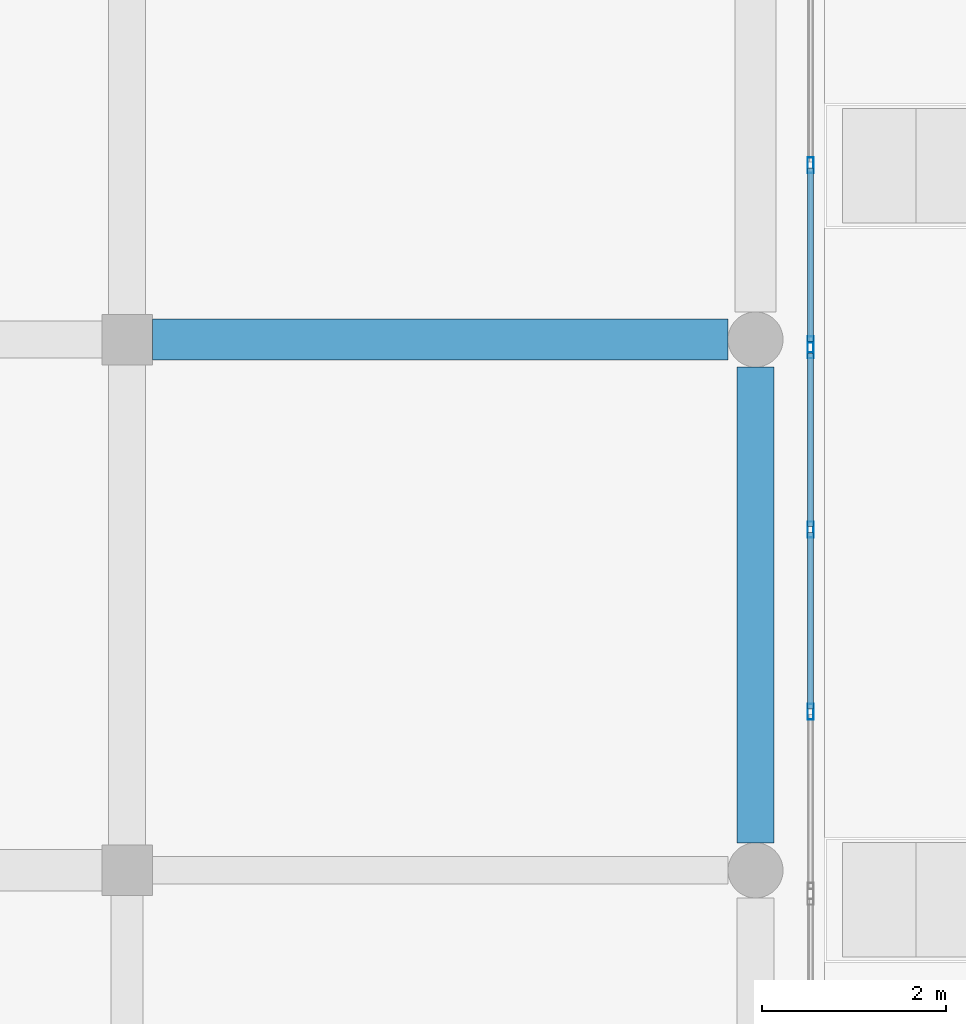
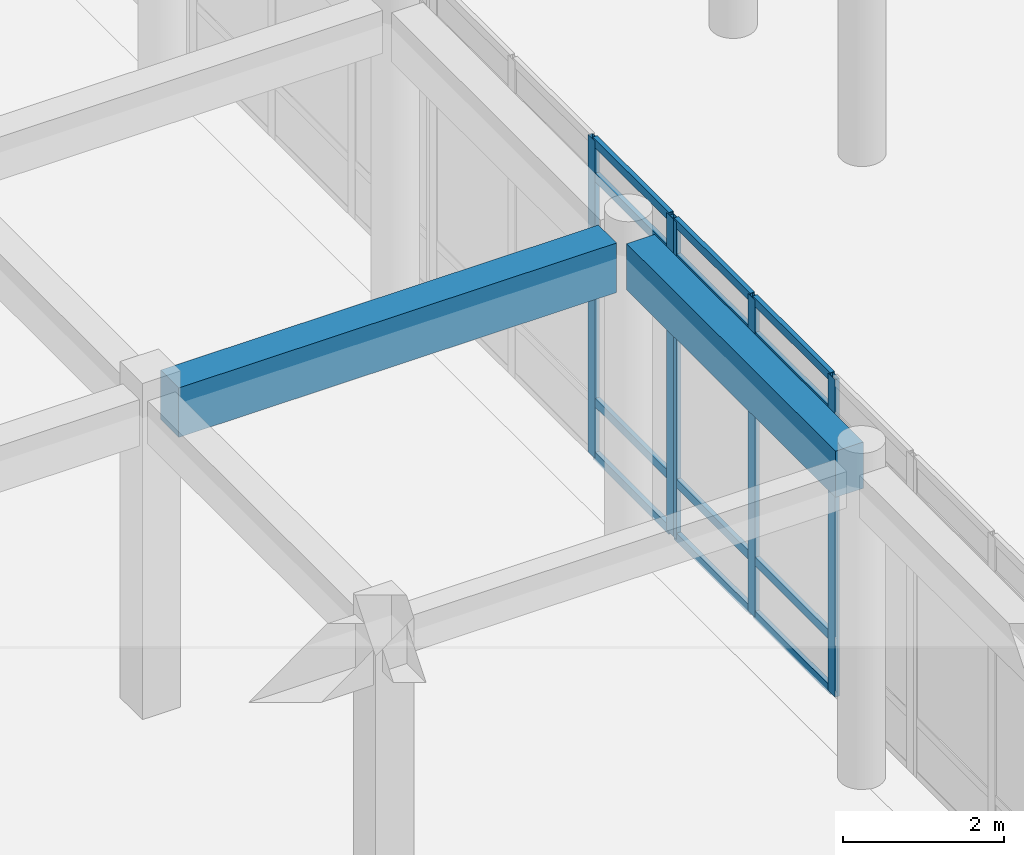
# One storey, part 25 of 121: 17 members, 2 beams, 2 elements without a shape of their own.
"""IFC4 building model written with IfcOpenShell, lengths in metres."""

from ifc_helpers import new_model, si_unit, direction, frame, origin, origin_2d, place, context, subcontext, project, spatial, rectangle, hollow_rectangle, extrude, material, layer, layer_set, material_profile, profile_set, type_object, element, aggregate, save


model = new_model("IFC4")

# Units and contexts
model_context = context("Model", 3, precision=1e-05, world=origin(), true_north=direction((0.0, 1.0)))
body_context = subcontext(model_context, "Body", "Model", "MODEL_VIEW")
ifc_project = project(units=[si_unit("LENGTHUNIT", "METRE"), si_unit("AREAUNIT", "SQUARE_METRE"), si_unit("VOLUMEUNIT", "CUBIC_METRE"), si_unit("PLANEANGLEUNIT", "RADIAN"), si_unit("MASSUNIT", "GRAM", prefix="KILO")], contexts=[model_context])

# Site, building, storey
site_placement = place(None, origin())
site = spatial("IfcSite", under=ifc_project, at=site_placement, CompositionType="ELEMENT")
building_placement = place(site_placement, origin())
building = spatial("IfcBuilding", under=site, at=building_placement, Name="Valcora Specialist Clinic", CompositionType="ELEMENT")
storey_placement = place(building_placement, origin())
storey = spatial("IfcBuildingStorey", under=building, at=storey_placement, Name="L00", CompositionType="ELEMENT", Elevation=0.0)

# Beams
ifc_material_1 = material(Name="Concrete C40/50", Category="concrete")
ifc_material_profile_1 = material_profile(ifc_material_1, rectangle(XDim=0.39990234375, YDim=0.699951171875, at=origin_2d()), Name="RC-BM-400X700")
ifc_profile_set_1 = profile_set([ifc_material_profile_1], Name="Concrete C40/50")
beam_type_1 = type_object("IfcBeamType", Name="TY-BM-RC400X700", PredefinedType="BEAM", material=ifc_profile_set_1)
beam_1_placement = place(storey_placement, frame((29.25, 50.62109375, 4.4599609375), z_axis=(0.0, 1.0, 0.0), x_axis=(-1.0, 0.0, 0.0)))
element("IfcBeam", 1, at=beam_1_placement, inside=storey, type_object=beam_type_1, Name="Beam BM-L00-0128", PredefinedType="BEAM", context=body_context, shape_type="SweptSolid", body=[
    extrude(rectangle(XDim=0.39990234375, YDim=0.699951171875, at=origin_2d()), origin(), (0.0, 0.0, 1.0), 5.185791015625),
])
ifc_material_profile_2 = material_profile(ifc_material_1, rectangle(XDim=0.449951171875, YDim=0.75, at=origin_2d()), Name="RC-BM-450X750")
ifc_profile_set_2 = profile_set([ifc_material_profile_2], Name="Concrete C40/50")
beam_type_2 = type_object("IfcBeamType", Name="TY-BM-RC450X750", PredefinedType="BEAM", material=ifc_profile_set_2)
beam_2_placement = place(storey_placement, frame((22.675048828125, 56.10693359375, 4.43505859375), z_axis=(1.0, 0.0, 0.0), x_axis=(0.0, 1.0, 0.0)))
element("IfcBeam", 2, at=beam_2_placement, inside=storey, type_object=beam_type_2, Name="Beam BM-L00-0083", PredefinedType="BEAM", context=body_context, shape_type="SweptSolid", body=[
    extrude(rectangle(XDim=0.449951171875, YDim=0.75, at=origin_2d()), origin(), (0.0, 0.0, 1.0), 6.27490234375),
])

# Curtain wall, members
ifc_material_2 = material(Name="Anodized Bronze Aluminium 6063-T6", Category="aluminium")
ifc_layer = layer(ifc_material_2, 0.175048828125)
ifc_layer_set = layer_set([ifc_layer], Name="Anodized Bronze Aluminium 6063-T6")
curtain_wall_type = type_object("IfcCurtainWallType", Name="TY-CW-HAL18", PredefinedType="NOTDEFINED", material=ifc_layer_set)
curtain_wall_1_placement = place(storey_placement, origin())
curtain_wall_1 = element("IfcCurtainWall", 3, at=curtain_wall_1_placement, inside=storey, type_object=curtain_wall_type, Name="Curtain wall CW-L00-004", PredefinedType="NOTDEFINED")
ifc_material_profile_3 = material_profile(ifc_material_2, hollow_rectangle(XDim=0.06494140625, YDim=0.175048828125, WallThickness=0.00390625, at=origin_2d()), Name="AL-MUL-65X175")
ifc_profile_set_3 = profile_set([ifc_material_profile_3], Name="Anodized Bronze Aluminium 6063-T6")
member_type_1 = type_object("IfcMemberType", Name="TY-CWM-65X175", PredefinedType="MULLION", material=ifc_profile_set_3)
member_1_placement = place(storey_placement, frame((29.85009765625, 58.007080078125, 0.0), z_axis=(0.0, 0.0, 1.0), x_axis=(1.0, 0.0, 0.0)))
member_1 = element("IfcMember", 4, at=member_1_placement, type_object=member_type_1, Name="CW-HAL-18 mullion 3", PredefinedType="MULLION", context=body_context, shape_type="SweptSolid", body=[
    extrude(hollow_rectangle(XDim=0.06494140625, YDim=0.175048828125, WallThickness=0.00390625, at=origin_2d()), origin(), (0.0, 0.0, 1.0), 4.81005859375),
])
member_2_placement = place(storey_placement, frame((29.85009765625, 56.053955078125, 0.0), z_axis=(0.0, 0.0, 1.0), x_axis=(1.0, 0.0, 0.0)))
member_2 = element("IfcMember", 5, at=member_2_placement, type_object=member_type_1, Name="CW-HAL-18 mullion 4", PredefinedType="MULLION", context=body_context, shape_type="SweptSolid", body=[
    extrude(hollow_rectangle(XDim=0.06494140625, YDim=0.175048828125, WallThickness=0.00390625, at=origin_2d()), origin(), (0.0, 0.0, 1.0), 4.81005859375),
])

curtain_wall_2_placement = place(storey_placement, origin())
curtain_wall_2 = element("IfcCurtainWall", 6, at=curtain_wall_2_placement, inside=storey, type_object=curtain_wall_type, Name="Curtain wall CW-L00-005", PredefinedType="NOTDEFINED")
member_3_placement = place(storey_placement, frame((29.85009765625, 55.989013671875, 0.0), z_axis=(0.0, 0.0, 1.0), x_axis=(1.0, 0.0, 0.0)))
member_3 = element("IfcMember", 7, at=member_3_placement, type_object=member_type_1, Name="CW-HAL-18 mullion 1", PredefinedType="MULLION", context=body_context, shape_type="SweptSolid", body=[
    extrude(hollow_rectangle(XDim=0.06494140625, YDim=0.175048828125, WallThickness=0.00390625, at=origin_2d()), origin(), (0.0, 0.0, 1.0), 4.81005859375),
])
member_4_placement = place(storey_placement, frame((29.85009765625, 54.03564453125, 0.0), z_axis=(0.0, 0.0, 1.0), x_axis=(1.0, 0.0, 0.0)))
member_4 = element("IfcMember", 8, at=member_4_placement, type_object=member_type_1, Name="CW-HAL-18 mullion 2", PredefinedType="MULLION", context=body_context, shape_type="SweptSolid", body=[
    extrude(hollow_rectangle(XDim=0.06494140625, YDim=0.175048828125, WallThickness=0.00390625, at=origin_2d()), origin(), (0.0, 0.0, 1.0), 4.81005859375),
])
member_5_placement = place(storey_placement, frame((29.85009765625, 52.050048828125, 0.0), z_axis=(0.0, 0.0, 1.0), x_axis=(1.0, 0.0, 0.0)))
member_5 = element("IfcMember", 9, at=member_5_placement, type_object=member_type_1, Name="CW-HAL-18 mullion 3", PredefinedType="MULLION", context=body_context, shape_type="SweptSolid", body=[
    extrude(hollow_rectangle(XDim=0.06494140625, YDim=0.175048828125, WallThickness=0.00390625, at=origin_2d()), origin(), (0.0, 0.0, 1.0), 4.81005859375),
])

# Member
ifc_material_profile_4 = material_profile(ifc_material_2, hollow_rectangle(XDim=0.06494140625, YDim=0.1298828125, WallThickness=0.00390625, at=origin_2d()), Name="AL-TRN-65X130")
ifc_profile_set_4 = profile_set([ifc_material_profile_4], Name="Anodized Bronze Aluminium 6063-T6")
member_type_2 = type_object("IfcMemberType", Name="TY-CWT-65X130", PredefinedType="USERDEFINED", material=ifc_profile_set_4)
member_6_placement = place(storey_placement, frame((29.85009765625, 57.974609375, 0.032470703125), z_axis=(0.0, -1.0, 0.0), x_axis=(1.0, 0.0, 0.0)))
member_6 = element("IfcMember", 10, at=member_6_placement, type_object=member_type_2, Name="CW-HAL-18 transom 3.1", ObjectType="TRANSOM", PredefinedType="USERDEFINED", context=body_context, shape_type="SweptSolid", body=[
    extrude(hollow_rectangle(XDim=0.06494140625, YDim=0.1298828125, WallThickness=0.00390625, at=origin_2d()), origin(), (0.0, 0.0, 1.0), 1.88818359375),
])

member_7_placement = place(storey_placement, frame((29.85009765625, 57.974609375, 0.85009765625), z_axis=(0.0, -1.0, 0.0), x_axis=(1.0, 0.0, 0.0)))
member_7 = element("IfcMember", 11, at=member_7_placement, type_object=member_type_2, Name="CW-HAL-18 transom 3.2", ObjectType="TRANSOM", PredefinedType="USERDEFINED", context=body_context, shape_type="SweptSolid", body=[
    extrude(hollow_rectangle(XDim=0.06494140625, YDim=0.1298828125, WallThickness=0.00390625, at=origin_2d()), origin(), (0.0, 0.0, 1.0), 1.88818359375),
])

member_8_placement = place(storey_placement, frame((29.85009765625, 57.974609375, 4.260009765625), z_axis=(0.0, -1.0, 0.0), x_axis=(1.0, 0.0, 0.0)))
member_8 = element("IfcMember", 12, at=member_8_placement, type_object=member_type_2, Name="CW-HAL-18 transom 3.3", ObjectType="TRANSOM", PredefinedType="USERDEFINED", context=body_context, shape_type="SweptSolid", body=[
    extrude(hollow_rectangle(XDim=0.06494140625, YDim=0.1298828125, WallThickness=0.00390625, at=origin_2d()), origin(), (0.0, 0.0, 1.0), 1.88818359375),
])

member_9_placement = place(storey_placement, frame((29.85009765625, 57.974609375, 4.777587890625), z_axis=(0.0, -1.0, 0.0), x_axis=(1.0, 0.0, 0.0)))
member_9 = element("IfcMember", 13, at=member_9_placement, type_object=member_type_2, Name="CW-HAL-18 transom 3.4", ObjectType="TRANSOM", PredefinedType="USERDEFINED", context=body_context, shape_type="SweptSolid", body=[
    extrude(hollow_rectangle(XDim=0.06494140625, YDim=0.1298828125, WallThickness=0.00390625, at=origin_2d()), origin(), (0.0, 0.0, 1.0), 1.88818359375),
])

aggregate(curtain_wall_1, [member_1, member_2, member_6, member_7, member_8, member_9])

member_10_placement = place(storey_placement, frame((29.85009765625, 55.956298828125, 0.032470703125), z_axis=(0.0, -1.0, 0.0), x_axis=(1.0, 0.0, 0.0)))
member_10 = element("IfcMember", 14, at=member_10_placement, type_object=member_type_2, Name="CW-HAL-18 transom 1.1", ObjectType="TRANSOM", PredefinedType="USERDEFINED", context=body_context, shape_type="SweptSolid", body=[
    extrude(hollow_rectangle(XDim=0.06494140625, YDim=0.1298828125, WallThickness=0.00390625, at=origin_2d()), origin(), (0.0, 0.0, 1.0), 1.88818359375),
])

member_11_placement = place(storey_placement, frame((29.85009765625, 55.956298828125, 0.85009765625), z_axis=(0.0, -1.0, 0.0), x_axis=(1.0, 0.0, 0.0)))
member_11 = element("IfcMember", 15, at=member_11_placement, type_object=member_type_2, Name="CW-HAL-18 transom 1.2", ObjectType="TRANSOM", PredefinedType="USERDEFINED", context=body_context, shape_type="SweptSolid", body=[
    extrude(hollow_rectangle(XDim=0.06494140625, YDim=0.1298828125, WallThickness=0.00390625, at=origin_2d()), origin(), (0.0, 0.0, 1.0), 1.88818359375),
])

member_12_placement = place(storey_placement, frame((29.85009765625, 55.956298828125, 4.260009765625), z_axis=(0.0, -1.0, 0.0), x_axis=(1.0, 0.0, 0.0)))
member_12 = element("IfcMember", 16, at=member_12_placement, type_object=member_type_2, Name="CW-HAL-18 transom 1.3", ObjectType="TRANSOM", PredefinedType="USERDEFINED", context=body_context, shape_type="SweptSolid", body=[
    extrude(hollow_rectangle(XDim=0.06494140625, YDim=0.1298828125, WallThickness=0.00390625, at=origin_2d()), origin(), (0.0, 0.0, 1.0), 1.88818359375),
])

member_13_placement = place(storey_placement, frame((29.85009765625, 55.956298828125, 4.777587890625), z_axis=(0.0, -1.0, 0.0), x_axis=(1.0, 0.0, 0.0)))
member_13 = element("IfcMember", 17, at=member_13_placement, type_object=member_type_2, Name="CW-HAL-18 transom 1.4", ObjectType="TRANSOM", PredefinedType="USERDEFINED", context=body_context, shape_type="SweptSolid", body=[
    extrude(hollow_rectangle(XDim=0.06494140625, YDim=0.1298828125, WallThickness=0.00390625, at=origin_2d()), origin(), (0.0, 0.0, 1.0), 1.88818359375),
])

member_14_placement = place(storey_placement, frame((29.85009765625, 54.003173828125, 0.032470703125), z_axis=(0.0, -1.0, 0.0), x_axis=(1.0, 0.0, 0.0)))
member_14 = element("IfcMember", 18, at=member_14_placement, type_object=member_type_2, Name="CW-HAL-18 transom 2.1", ObjectType="TRANSOM", PredefinedType="USERDEFINED", context=body_context, shape_type="SweptSolid", body=[
    extrude(hollow_rectangle(XDim=0.06494140625, YDim=0.1298828125, WallThickness=0.00390625, at=origin_2d()), origin(), (0.0, 0.0, 1.0), 1.920654296875),
])

member_15_placement = place(storey_placement, frame((29.85009765625, 54.003173828125, 0.85009765625), z_axis=(0.0, -1.0, 0.0), x_axis=(1.0, 0.0, 0.0)))
member_15 = element("IfcMember", 19, at=member_15_placement, type_object=member_type_2, Name="CW-HAL-18 transom 2.2", ObjectType="TRANSOM", PredefinedType="USERDEFINED", context=body_context, shape_type="SweptSolid", body=[
    extrude(hollow_rectangle(XDim=0.06494140625, YDim=0.1298828125, WallThickness=0.00390625, at=origin_2d()), origin(), (0.0, 0.0, 1.0), 1.920654296875),
])

member_16_placement = place(storey_placement, frame((29.85009765625, 54.003173828125, 4.260009765625), z_axis=(0.0, -1.0, 0.0), x_axis=(1.0, 0.0, 0.0)))
member_16 = element("IfcMember", 20, at=member_16_placement, type_object=member_type_2, Name="CW-HAL-18 transom 2.3", ObjectType="TRANSOM", PredefinedType="USERDEFINED", context=body_context, shape_type="SweptSolid", body=[
    extrude(hollow_rectangle(XDim=0.06494140625, YDim=0.1298828125, WallThickness=0.00390625, at=origin_2d()), origin(), (0.0, 0.0, 1.0), 1.920654296875),
])

member_17_placement = place(storey_placement, frame((29.85009765625, 54.003173828125, 4.777587890625), z_axis=(0.0, -1.0, 0.0), x_axis=(1.0, 0.0, 0.0)))
member_17 = element("IfcMember", 21, at=member_17_placement, type_object=member_type_2, Name="CW-HAL-18 transom 2.4", ObjectType="TRANSOM", PredefinedType="USERDEFINED", context=body_context, shape_type="SweptSolid", body=[
    extrude(hollow_rectangle(XDim=0.06494140625, YDim=0.1298828125, WallThickness=0.00390625, at=origin_2d()), origin(), (0.0, 0.0, 1.0), 1.920654296875),
])

aggregate(curtain_wall_2, [member_3, member_4, member_5, member_10, member_11, member_12, member_13, member_14, member_15, member_16, member_17])

save(model, "model.ifc")
